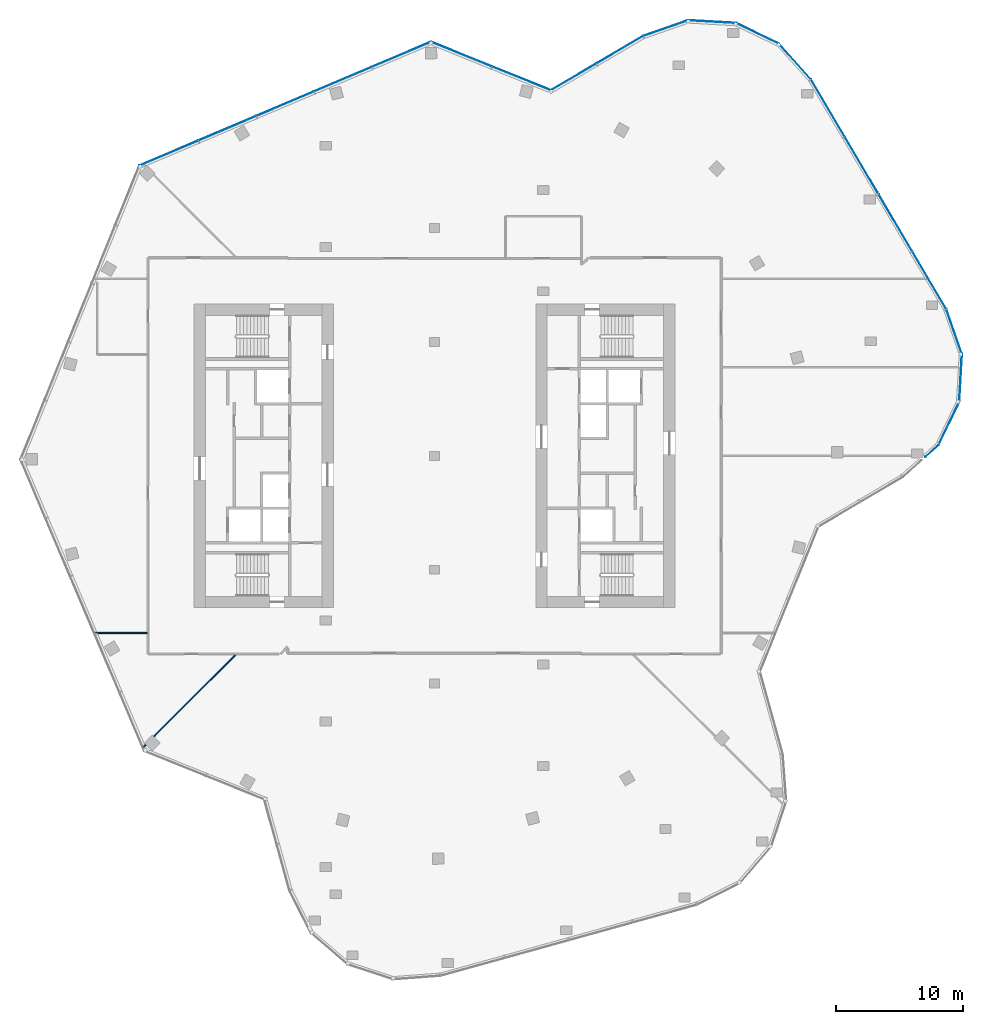
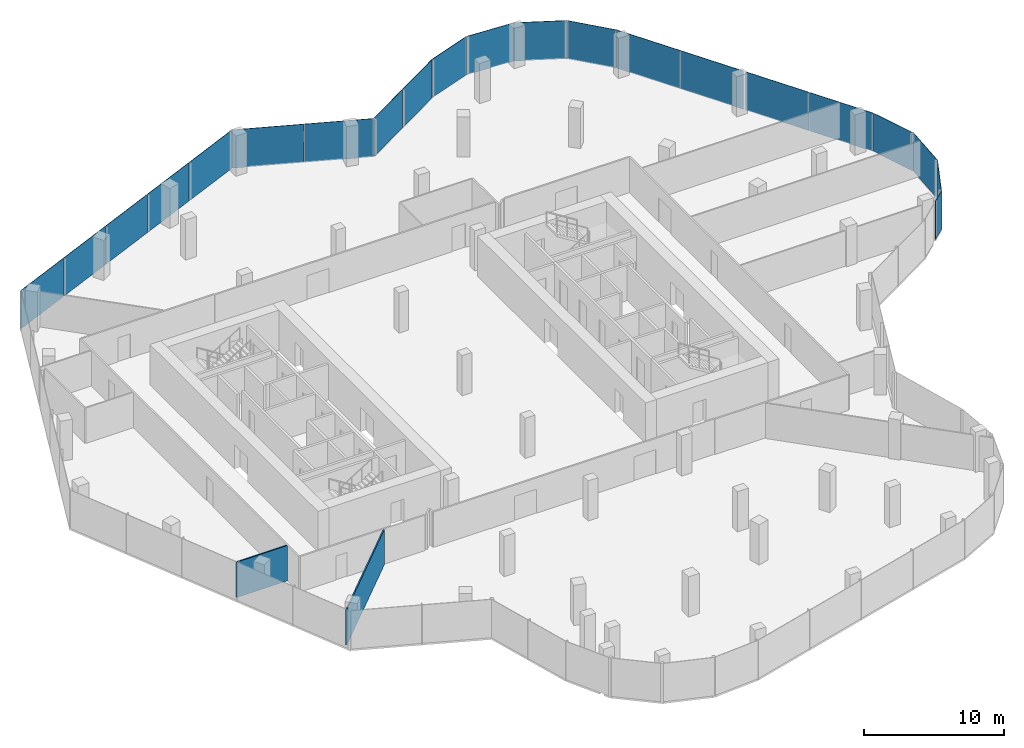
# One storey, part 11 of 15: 21 plates, 2 walls, 12 elements without a shape of their own.
"""IFC4 building model written with IfcOpenShell, lengths in metres."""

import ifcopenshell
import ifcopenshell.guid

model = None  # the IFC model being written
_history = None  # IfcOwnerHistory: only IFC2X3 demands one
_inside = {}  # id of a spatial element -> (the spatial element, [elements in it])
_under = {}  # id of a project, library or spatial element -> (it, [spatial elements below it])
_declared = {}  # id of a project -> (the project, [libraries it declares])
_typed = {}  # id of a type object -> (the type object, [elements of that type])
_made_of = {}  # id of a material, layer set ... -> (it, [elements and type objects made of it])


def new_model(schema):
    """Start an empty IFC model of exactly this schema.

    Asked for "IFC4X3", IfcOpenShell would pick the latest addendum, in which some entities
    have other attributes; the version numbers below select the first issue.
    IFC2X3 requires an IfcOwnerHistory on every rooted entity: one is made here for all.
    """
    global model, _history
    if schema == "IFC4X3":
        model = ifcopenshell.file(schema_version=(4, 3, 0, 0))
    else:
        model = ifcopenshell.file(schema=schema)
    _inside.clear()
    _under.clear()
    _declared.clear()
    _typed.clear()
    _made_of.clear()
    _history = None
    if model.schema == "IFC2X3":
        org = make("IfcOrganization", Name="unknown")
        user = make(
            "IfcPersonAndOrganization",
            ThePerson=make("IfcPerson", FamilyName="unknown"),
            TheOrganization=org,
        )
        app = make(
            "IfcApplication",
            ApplicationDeveloper=org,
            Version="unknown",
            ApplicationFullName="unknown",
            ApplicationIdentifier="unknown",
        )
        _history = make(
            "IfcOwnerHistory",
            OwningUser=user,
            OwningApplication=app,
            ChangeAction="ADDED",
            CreationDate=0,
        )
    return model


def make(cls, **values):
    """One entity of the class cls with the attributes given. An attribute that is None is left unset."""
    return model.create_entity(
        cls, **{name: value for name, value in values.items() if value is not None}
    )


def rooted(cls, **values):
    """An entity with a GlobalId (a new one), such as an element, a storey or a relation."""
    return make(cls, GlobalId=ifcopenshell.guid.new(), OwnerHistory=_history, **values)


def si_unit(unit_type, name, prefix=None):
    """IfcSIUnit, for example si_unit("LENGTHUNIT", "METRE", prefix="MILLI")."""
    return make("IfcSIUnit", UnitType=unit_type, Prefix=prefix, Name=name)


def assignment(units):
    """IfcUnitAssignment: the units of a project."""
    return None if units is None else make("IfcUnitAssignment", Units=units)


def point(xyz):
    """IfcCartesianPoint."""
    return None if xyz is None else make("IfcCartesianPoint", Coordinates=xyz)


def direction(xyz):
    """IfcDirection."""
    return None if xyz is None else make("IfcDirection", DirectionRatios=xyz)


def frame(location, z_axis=None, x_axis=None):
    """IfcAxis2Placement3D, a coordinate frame: its origin and axes. An axis left out is left unset."""
    return make(
        "IfcAxis2Placement3D",
        Location=point(location),
        Axis=direction(z_axis),
        RefDirection=direction(x_axis),
    )


def frame_2d(location, x_axis=None):
    """IfcAxis2Placement2D, a coordinate frame in the plane: its origin and x axis."""
    return make(
        "IfcAxis2Placement2D", Location=point(location), RefDirection=direction(x_axis)
    )


def origin():
    """The frame at (0, 0, 0) with its axes left unset."""
    return frame((0.0, 0.0, 0.0))


def origin_2d():
    """The frame at (0, 0) in the plane with its x axis left unset."""
    return frame_2d((0.0, 0.0))


def place(relative_to, where):
    """IfcLocalPlacement: puts the frame where relative to a parent placement (None: the world)."""
    return make(
        "IfcLocalPlacement", PlacementRelTo=relative_to, RelativePlacement=where
    )


def context(
    kind, dimensions, precision=None, world=None, true_north=None, identifier=None
):
    """IfcGeometricRepresentationContext, for example the 3D "Model" context."""
    return make(
        "IfcGeometricRepresentationContext",
        ContextIdentifier=identifier,
        ContextType=kind,
        CoordinateSpaceDimension=dimensions,
        Precision=precision,
        WorldCoordinateSystem=world,
        TrueNorth=true_north,
    )


def subcontext(parent, identifier, kind, view, scale=None):
    """IfcGeometricRepresentationSubContext, for example "Body" below "Model"."""
    return make(
        "IfcGeometricRepresentationSubContext",
        ContextIdentifier=identifier,
        ContextType=kind,
        ParentContext=parent,
        TargetScale=scale,
        TargetView=view,
    )


def project(units=None, contexts=None):
    """IfcProject with its units and contexts."""
    return rooted(
        "IfcProject",
        Name="project",
        RepresentationContexts=contexts,
        UnitsInContext=assignment(units),
    )


def spatial(cls, under=None, at=None, **own):
    """A site, building, storey or space (cls), placed at a placement, below another one or the project."""
    s = rooted(cls, ObjectPlacement=at, **own)
    if under is not None:
        _under.setdefault(under.id(), (under, []))[1].append(s)
    return s


def profile(cls, at=None, kind="AREA", **sizes):
    """A parametric profile (cls). Its sizes go by their IFC names, for example OverallWidth=200.0."""
    return make(cls, ProfileType=kind, Position=at, **sizes)


def rectangle(**sizes):
    """IfcRectangleProfileDef."""
    return profile("IfcRectangleProfileDef", **sizes)


def extrude(swept, where, along, depth):
    """IfcExtrudedAreaSolid: the profile swept, set in the frame where, extruded along a direction by depth."""
    return make(
        "IfcExtrudedAreaSolid",
        SweptArea=swept,
        Position=where,
        ExtrudedDirection=direction(along),
        Depth=depth,
    )


def shape(context_of_items, identifier, shape_type, items):
    """IfcShapeRepresentation: the items that make up one representation, for example the "Body"."""
    return make(
        "IfcShapeRepresentation",
        ContextOfItems=context_of_items,
        RepresentationIdentifier=identifier,
        RepresentationType=shape_type,
        Items=items,
    )


def material(Name=None, Category=None):
    """IfcMaterial."""
    return make("IfcMaterial", Name=Name, Category=Category)


def layer(
    of_material, thickness, ventilated=None, Name=None, Category=None, Priority=None
):
    """IfcMaterialLayer: one layer of a wall or slab, of a material (None: an air gap)."""
    return make(
        "IfcMaterialLayer",
        Material=of_material,
        LayerThickness=thickness,
        IsVentilated=ventilated,
        Name=Name,
        Category=Category,
        Priority=Priority,
    )


def layer_set(layers, Name=None):
    """IfcMaterialLayerSet."""
    return make("IfcMaterialLayerSet", MaterialLayers=layers, LayerSetName=Name)


def made_of(thing, what):
    """Note that an element or type object is made of a material, layer set ...; save() writes the relation."""
    if what is not None:
        _made_of.setdefault(what.id(), (what, []))[1].append(thing)
    return thing


def type_object(cls, material=None, **own):
    """A type object (cls), such as IfcWallType, which elements share."""
    return made_of(rooted(cls, **own), material)


def element(
    cls,
    number,
    at=None,
    inside=None,
    cuts=None,
    type_object=None,
    material=None,
    context=None,
    identifier="Body",
    shape_type=None,
    held_by="IfcProductDefinitionShape",
    body=None,
    shapes=None,
    **own,
):
    """One element of the class cls, such as IfcWall. Its Tag is "e" and its number.

    at: its placement. inside: the storey or other place that contains it. cuts: it is an
    opening in that element (IfcRelVoidsElement). A single representation is given by context,
    identifier, shape_type and body (its items); several are given by shapes. held_by: the class
    of the entity that holds the representations. save() writes the other relations.
    """
    e = rooted(cls, Tag="e%d" % number, ObjectPlacement=at, **own)
    if body is not None:
        shapes = [shape(context, identifier, shape_type, body)]
    if shapes is not None:
        e.Representation = make(held_by, Representations=shapes)
    if inside is not None:
        _inside.setdefault(inside.id(), (inside, []))[1].append(e)
    if cuts is not None:
        rooted(
            "IfcRelVoidsElement", RelatingBuildingElement=cuts, RelatedOpeningElement=e
        )
    if type_object is not None:
        _typed.setdefault(type_object.id(), (type_object, []))[1].append(e)
    return made_of(e, material)


def aggregate(whole, parts):
    """IfcRelAggregates: a whole, such as a stair, and the parts it consists of."""
    return rooted("IfcRelAggregates", RelatingObject=whole, RelatedObjects=parts)


def save(model, path):
    """Write the relations noted so far, then the file.

    IfcRelAggregates (storeys below a building ...), IfcRelContainedInSpatialStructure (elements
    in a storey), IfcRelDefinesByType, IfcRelAssociatesMaterial and IfcRelDeclares: one each for
    every whole, place, type object, material and project.
    """
    for whole, parts in _under.values():
        aggregate(whole, parts)
    for where, things in _inside.values():
        rooted(
            "IfcRelContainedInSpatialStructure",
            RelatedElements=things,
            RelatingStructure=where,
        )
    for kind, things in _typed.values():
        rooted("IfcRelDefinesByType", RelatedObjects=things, RelatingType=kind)
    for what, things in _made_of.values():
        rooted("IfcRelAssociatesMaterial", RelatedObjects=things, RelatingMaterial=what)
    for by, libraries in _declared.values():
        rooted("IfcRelDeclares", RelatingContext=by, RelatedDefinitions=libraries)
    model.write(path)


model = new_model("IFC4")

# Units and contexts
model_context = context("Model", 3, precision=1e-05, world=origin(), true_north=direction((0.0, 1.0)))
body_context = subcontext(model_context, "Body", "Model", "MODEL_VIEW")
ifc_project = project(units=[si_unit("LENGTHUNIT", "METRE"), si_unit("AREAUNIT", "SQUARE_METRE"), si_unit("VOLUMEUNIT", "CUBIC_METRE"), si_unit("PLANEANGLEUNIT", "RADIAN"), si_unit("MASSUNIT", "GRAM", prefix="KILO")], contexts=[model_context])

# Site, building, storey
site_placement = place(None, origin())
site = spatial("IfcSite", under=ifc_project, at=site_placement, CompositionType="ELEMENT")
building_placement = place(site_placement, origin())
building = spatial("IfcBuilding", under=site, at=building_placement, Name="Orlundy Tower", CompositionType="ELEMENT")
storey_placement = place(building_placement, frame((0.0, 0.0, 278.89990234375)))
storey = spatial("IfcBuildingStorey", under=building, at=storey_placement, Name="L74", CompositionType="ELEMENT", Elevation=278.89990234375)

# Curtain wall, plates
ifc_material_1 = material(Name="Aluminium bronze anodised", Category="aluminium")
curtain_wall_type = type_object("IfcCurtainWallType", Name="CW6 wall", PredefinedType="NOTDEFINED", material=ifc_material_1)
curtain_wall_1_placement = place(storey_placement, origin())
curtain_wall_1 = element("IfcCurtainWall", 1, at=curtain_wall_1_placement, inside=storey, type_object=curtain_wall_type, Name="CW6 run 016", PredefinedType="NOTDEFINED")
ifc_material_2 = material(Name="Tinted glass", Category="glass")
ifc_layer_1 = layer(ifc_material_2, 0.035888671875)
ifc_layer_set_1 = layer_set([ifc_layer_1], Name="CW6 glass panel 36")
plate_type = type_object("IfcPlateType", Name="CW6 glass panel 36", PredefinedType="CURTAIN_PANEL", material=ifc_layer_set_1)
plate_1_placement = place(storey_placement, frame((-21.013671875, 23.91259765625, -0.23974609375), z_axis=(0.0, 0.0, 1.0), x_axis=(0.920506804854, 0.390726531244, 0.0)))
plate_1 = element("IfcPlate", 2, at=plate_1_placement, type_object=plate_type, Name="CW6 panel", PredefinedType="CURTAIN_PANEL", context=body_context, shape_type="SweptSolid", body=[
    extrude(rectangle(XDim=5.03759765625, YDim=0.035888671875, at=origin_2d()), origin(), (0.0, 0.0, 1.0), 3.340087890625),
])
plate_2_placement = place(storey_placement, frame((-16.38427734375, 25.877685546875, -0.23974609375), z_axis=(0.0, 0.0, 1.0), x_axis=(0.920506804854, 0.390726531244, 0.0)))
plate_2 = element("IfcPlate", 3, at=plate_2_placement, type_object=plate_type, Name="CW6 panel", PredefinedType="CURTAIN_PANEL", context=body_context, shape_type="SweptSolid", body=[
    extrude(rectangle(XDim=4.920654296875, YDim=0.035888671875, at=origin_2d()), origin(), (0.0, 0.0, 1.0), 3.340087890625),
])
plate_3_placement = place(storey_placement, frame((-11.808837890625, 27.81982421875, -0.23974609375), z_axis=(0.0, 0.0, 1.0), x_axis=(0.920506804854, 0.390726531244, 0.0)))
plate_3 = element("IfcPlate", 4, at=plate_3_placement, type_object=plate_type, Name="CW6 panel", PredefinedType="CURTAIN_PANEL", context=body_context, shape_type="SweptSolid", body=[
    extrude(rectangle(XDim=4.920654296875, YDim=0.035888671875, at=origin_2d()), origin(), (0.0, 0.0, 1.0), 3.340087890625),
])
plate_4_placement = place(storey_placement, frame((-7.233154296875, 29.761962890625, -0.23974609375), z_axis=(0.0, 0.0, 1.0), x_axis=(0.920506804854, 0.390726531244, 0.0)))
plate_4 = element("IfcPlate", 5, at=plate_4_placement, type_object=plate_type, Name="CW6 panel", PredefinedType="CURTAIN_PANEL", context=body_context, shape_type="SweptSolid", body=[
    extrude(rectangle(XDim=4.920654296875, YDim=0.035888671875, at=origin_2d()), origin(), (0.0, 0.0, 1.0), 3.340087890625),
])
plate_5_placement = place(storey_placement, frame((-2.603759765625, 31.72705078125, -0.23974609375), z_axis=(0.0, 0.0, 1.0), x_axis=(0.920506804854, 0.390726531244, 0.0)))
plate_5 = element("IfcPlate", 6, at=plate_5_placement, type_object=plate_type, Name="CW6 panel", PredefinedType="CURTAIN_PANEL", context=body_context, shape_type="SweptSolid", body=[
    extrude(rectangle(XDim=5.03759765625, YDim=0.035888671875, at=origin_2d()), origin(), (0.0, 0.0, 1.0), 3.340087890625),
])
aggregate(curtain_wall_1, [plate_1, plate_2, plate_3, plate_4, plate_5])

curtain_wall_2_placement = place(storey_placement, origin())
curtain_wall_2 = element("IfcCurtainWall", 7, at=curtain_wall_2_placement, inside=storey, type_object=curtain_wall_type, Name="CW6 run 017", PredefinedType="NOTDEFINED")
plate_6_placement = place(storey_placement, frame((2.11865234375, 31.739990234375, -0.23974609375), z_axis=(0.0, 0.0, 1.0), x_axis=(0.927170719858, -0.374639101319, 0.0)))
plate_6 = element("IfcPlate", 8, at=plate_6_placement, type_object=plate_type, Name="CW6 panel", PredefinedType="CURTAIN_PANEL", context=body_context, shape_type="SweptSolid", body=[
    extrude(rectangle(XDim=5.185302734375, YDim=0.035888671875, at=origin_2d()), origin(), (0.0, 0.0, 1.0), 3.340087890625),
])
plate_7_placement = place(storey_placement, frame((6.879150390625, 29.81640625, -0.23974609375), z_axis=(0.0, 0.0, 1.0), x_axis=(0.927170719858, -0.374639101319, 0.0)))
plate_7 = element("IfcPlate", 9, at=plate_7_placement, type_object=plate_type, Name="CW6 panel", PredefinedType="CURTAIN_PANEL", context=body_context, shape_type="SweptSolid", body=[
    extrude(rectangle(XDim=4.98388671875, YDim=0.035888671875, at=origin_2d()), origin(), (0.0, 0.0, 1.0), 3.340087890625),
])
aggregate(curtain_wall_2, [plate_6, plate_7])

curtain_wall_3_placement = place(storey_placement, origin())
curtain_wall_3 = element("IfcCurtainWall", 10, at=curtain_wall_3_placement, inside=storey, type_object=curtain_wall_type, Name="CW6 run 018", PredefinedType="NOTDEFINED")
plate_8_placement = place(storey_placement, frame((10.9697265625, 29.93115234375, -0.23974609375), z_axis=(0.0, 0.0, 1.0), x_axis=(0.861662932394, 0.5074810252, 0.0)))
plate_8 = element("IfcPlate", 11, at=plate_8_placement, type_object=plate_type, Name="CW6 panel", PredefinedType="CURTAIN_PANEL", context=body_context, shape_type="SweptSolid", body=[
    extrude(rectangle(XDim=4.131591796875, YDim=0.035888671875, at=origin_2d()), origin(), (0.0, 0.0, 1.0), 3.340087890625),
])
plate_9_placement = place(storey_placement, frame((14.61865234375, 32.080322265625, -0.23974609375), z_axis=(0.0, 0.0, 1.0), x_axis=(0.861662932394, 0.5074810252, 0.0)))
plate_9 = element("IfcPlate", 12, at=plate_9_placement, type_object=plate_type, Name="CW6 panel", PredefinedType="CURTAIN_PANEL", context=body_context, shape_type="SweptSolid", body=[
    extrude(rectangle(XDim=4.23779296875, YDim=0.035888671875, at=origin_2d()), origin(), (0.0, 0.0, 1.0), 3.340087890625),
])
aggregate(curtain_wall_3, [plate_8, plate_9])

# Curtain wall, plate
curtain_wall_4_placement = place(storey_placement, origin())
curtain_wall_4 = element("IfcCurtainWall", 13, at=curtain_wall_4_placement, inside=storey, type_object=curtain_wall_type, Name="CW6 run 019", PredefinedType="NOTDEFINED")
plate_10_placement = place(storey_placement, frame((18.2587890625, 33.79443359375, -0.23974609375), z_axis=(0.0, 0.0, 1.0), x_axis=(0.944081083956, 0.32971337085, 0.0)))
plate_10 = element("IfcPlate", 14, at=plate_10_placement, type_object=plate_type, Name="CW6 panel", PredefinedType="CURTAIN_PANEL", context=body_context, shape_type="SweptSolid", body=[
    extrude(rectangle(XDim=3.7470703125, YDim=0.035888671875, at=origin_2d()), origin(), (0.0, 0.0, 1.0), 3.340087890625),
])
aggregate(curtain_wall_4, [plate_10])

curtain_wall_5_placement = place(storey_placement, origin())
curtain_wall_5 = element("IfcCurtainWall", 15, at=curtain_wall_5_placement, inside=storey, type_object=curtain_wall_type, Name="CW6 run 020", PredefinedType="NOTDEFINED")
plate_11_placement = place(storey_placement, frame((21.922119140625, 34.3046875, -0.23974609375), z_axis=(0.0, 0.0, 1.0), x_axis=(0.998394082315, -0.056650299193, 0.0)))
plate_11 = element("IfcPlate", 16, at=plate_11_placement, type_object=plate_type, Name="CW6 panel", PredefinedType="CURTAIN_PANEL", context=body_context, shape_type="SweptSolid", body=[
    extrude(rectangle(XDim=3.795166015625, YDim=0.035888671875, at=origin_2d()), origin(), (0.0, 0.0, 1.0), 3.340087890625),
])
aggregate(curtain_wall_5, [plate_11])

curtain_wall_6_placement = place(storey_placement, origin())
curtain_wall_6 = element("IfcCurtainWall", 17, at=curtain_wall_6_placement, inside=storey, type_object=curtain_wall_type, Name="CW6 run 021", PredefinedType="NOTDEFINED")
plate_12_placement = place(storey_placement, frame((25.52587890625, 33.373046875, -0.23974609375), z_axis=(0.0, 0.0, 1.0), x_axis=(0.900755489188, -0.434326546158, 0.0)))
plate_12 = element("IfcPlate", 18, at=plate_12_placement, type_object=plate_type, Name="CW6 panel", PredefinedType="CURTAIN_PANEL", context=body_context, shape_type="SweptSolid", body=[
    extrude(rectangle(XDim=3.795166015625, YDim=0.035888671875, at=origin_2d()), origin(), (0.0, 0.0, 1.0), 3.340087890625),
])
aggregate(curtain_wall_6, [plate_12])

curtain_wall_7_placement = place(storey_placement, origin())
curtain_wall_7 = element("IfcCurtainWall", 19, at=curtain_wall_7_placement, inside=storey, type_object=curtain_wall_type, Name="CW6 run 022", PredefinedType="NOTDEFINED")
plate_13_placement = place(storey_placement, frame((28.48291015625, 31.150390625, -0.23974609375), z_axis=(0.0, 0.0, 1.0), x_axis=(0.665769138425, -0.746157794518, 0.0)))
plate_13 = element("IfcPlate", 20, at=plate_13_placement, type_object=plate_type, Name="CW6 panel", PredefinedType="CURTAIN_PANEL", context=body_context, shape_type="SweptSolid", body=[
    extrude(rectangle(XDim=3.747802734375, YDim=0.035888671875, at=origin_2d()), origin(), (0.0, 0.0, 1.0), 3.340087890625),
])
aggregate(curtain_wall_7, [plate_13])

# Curtain wall, plates
curtain_wall_8_placement = place(storey_placement, origin())
curtain_wall_8 = element("IfcCurtainWall", 21, at=curtain_wall_8_placement, inside=storey, type_object=curtain_wall_type, Name="CW6 run 023", PredefinedType="NOTDEFINED")
plate_14_placement = place(storey_placement, frame((31.0849609375, 27.46240234375, -0.23974609375), z_axis=(0.0, 0.0, 1.0), x_axis=(0.507531980737, -0.861632919827, 0.0)))
plate_14 = element("IfcPlate", 22, at=plate_14_placement, type_object=plate_type, Name="CW6 panel", PredefinedType="CURTAIN_PANEL", context=body_context, shape_type="SweptSolid", body=[
    extrude(rectangle(XDim=5.2216796875, YDim=0.035888671875, at=origin_2d()), origin(), (0.0, 0.0, 1.0), 3.340087890625),
])
plate_15_placement = place(storey_placement, frame((33.72216796875, 22.9853515625, -0.23974609375), z_axis=(0.0, 0.0, 1.0), x_axis=(0.507531980737, -0.861632919827, 0.0)))
plate_15 = element("IfcPlate", 23, at=plate_15_placement, type_object=plate_type, Name="CW6 panel", PredefinedType="CURTAIN_PANEL", context=body_context, shape_type="SweptSolid", body=[
    extrude(rectangle(XDim=5.070068359375, YDim=0.035888671875, at=origin_2d()), origin(), (0.0, 0.0, 1.0), 3.340087890625),
])
plate_16_placement = place(storey_placement, frame((36.41943359375, 18.406005859375, -0.23974609375), z_axis=(0.0, 0.0, 1.0), x_axis=(0.507531980737, -0.861632919827, 0.0)))
plate_16 = element("IfcPlate", 24, at=plate_16_placement, type_object=plate_type, Name="CW6 panel", PredefinedType="CURTAIN_PANEL", context=body_context, shape_type="SweptSolid", body=[
    extrude(rectangle(XDim=5.199951171875, YDim=0.035888671875, at=origin_2d()), origin(), (0.0, 0.0, 1.0), 3.340087890625),
])
plate_17_placement = place(storey_placement, frame((39.089599609375, 13.873046875, -0.23974609375), z_axis=(0.0, 0.0, 1.0), x_axis=(0.507531980737, -0.861632919827, 0.0)))
plate_17 = element("IfcPlate", 25, at=plate_17_placement, type_object=plate_type, Name="CW6 panel", PredefinedType="CURTAIN_PANEL", context=body_context, shape_type="SweptSolid", body=[
    extrude(rectangle(XDim=5.2216796875, YDim=0.035888671875, at=origin_2d()), origin(), (0.0, 0.0, 1.0), 3.340087890625),
])
aggregate(curtain_wall_8, [plate_14, plate_15, plate_16, plate_17])

# Curtain wall, plate
curtain_wall_9_placement = place(storey_placement, origin())
curtain_wall_9 = element("IfcCurtainWall", 26, at=curtain_wall_9_placement, inside=storey, type_object=curtain_wall_type, Name="CW6 run 024", PredefinedType="NOTDEFINED")
plate_18_placement = place(storey_placement, frame((41.053466796875, 9.809326171875, -0.23974609375), z_axis=(0.0, 0.0, 1.0), x_axis=(0.32971337085, -0.944081083956, 0.0)))
plate_18 = element("IfcPlate", 27, at=plate_18_placement, type_object=plate_type, Name="CW6 panel", PredefinedType="CURTAIN_PANEL", context=body_context, shape_type="SweptSolid", body=[
    extrude(rectangle(XDim=3.7470703125, YDim=0.035888671875, at=origin_2d()), origin(), (0.0, 0.0, 1.0), 3.340087890625),
])
aggregate(curtain_wall_9, [plate_18])

curtain_wall_10_placement = place(storey_placement, origin())
curtain_wall_10 = element("IfcCurtainWall", 28, at=curtain_wall_10_placement, inside=storey, type_object=curtain_wall_type, Name="CW6 run 025", PredefinedType="NOTDEFINED")
plate_19_placement = place(storey_placement, frame((41.563720703125, 6.14599609375, -0.23974609375), z_axis=(0.0, 0.0, 1.0), x_axis=(-0.056650299193, -0.998394082315, 0.0)))
plate_19 = element("IfcPlate", 29, at=plate_19_placement, type_object=plate_type, Name="CW6 panel", PredefinedType="CURTAIN_PANEL", context=body_context, shape_type="SweptSolid", body=[
    extrude(rectangle(XDim=3.795166015625, YDim=0.035888671875, at=origin_2d()), origin(), (0.0, 0.0, 1.0), 3.340087890625),
])
aggregate(curtain_wall_10, [plate_19])

curtain_wall_11_placement = place(storey_placement, origin())
curtain_wall_11 = element("IfcCurtainWall", 30, at=curtain_wall_11_placement, inside=storey, type_object=curtain_wall_type, Name="CW6 run 026", PredefinedType="NOTDEFINED")
plate_20_placement = place(storey_placement, frame((40.632080078125, 2.5419921875, -0.23974609375), z_axis=(0.0, 0.0, 1.0), x_axis=(-0.434326546158, -0.900755489188, 0.0)))
plate_20 = element("IfcPlate", 31, at=plate_20_placement, type_object=plate_type, Name="CW6 panel", PredefinedType="CURTAIN_PANEL", context=body_context, shape_type="SweptSolid", body=[
    extrude(rectangle(XDim=3.795166015625, YDim=0.035888671875, at=origin_2d()), origin(), (0.0, 0.0, 1.0), 3.340087890625),
])
aggregate(curtain_wall_11, [plate_20])

curtain_wall_12_placement = place(storey_placement, origin())
curtain_wall_12 = element("IfcCurtainWall", 32, at=curtain_wall_12_placement, inside=storey, type_object=curtain_wall_type, Name="CW6 run 027", PredefinedType="NOTDEFINED")
plate_21_placement = place(storey_placement, frame((39.29296875, 0.373291015625, -0.23974609375), z_axis=(0.0, 0.0, 1.0), x_axis=(-0.746157794518, -0.665769138425, 0.0)))
plate_21 = element("IfcPlate", 33, at=plate_21_placement, type_object=plate_type, Name="CW6 panel", PredefinedType="CURTAIN_PANEL", context=body_context, shape_type="SweptSolid", body=[
    extrude(rectangle(XDim=1.380126953125, YDim=0.035888671875, at=origin_2d()), origin(), (0.0, 0.0, 1.0), 3.340087890625),
])
aggregate(curtain_wall_12, [plate_21])

# Walls
ifc_material_3 = material(Name="Gypsum board partition")
ifc_layer_2 = layer(ifc_material_3, 0.10009765625)
ifc_layer_set_2 = layer_set([ifc_layer_2], Name="Floor partition 100")
wall_type = type_object("IfcWallType", Name="Floor partition 100", PredefinedType="PARTITIONING", material=ifc_layer_set_2)
wall_1_placement = place(storey_placement, frame((-26.919921875, -14.0, 0.0), z_axis=(0.0, 0.0, 1.0), x_axis=(1.0, 0.0, 0.0)))
element("IfcWall", 34, at=wall_1_placement, inside=storey, type_object=wall_type, Name="wall-int-L74-007", PredefinedType="PARTITIONING", context=body_context, shape_type="SweptSolid", body=[
    extrude(rectangle(XDim=4.2080078125, YDim=0.10009765625, at=frame_2d((2.10400390625, 0.0))), origin(), (0.0, 0.0, 1.0), 3.080078125),
])
wall_2_placement = place(storey_placement, frame((-23.070068359375, -23.070068359375, 0.0), z_axis=(0.0, 0.0, 1.0), x_axis=(0.707106781187, 0.707106781187, 0.0)))
element("IfcWall", 35, at=wall_2_placement, inside=storey, type_object=wall_type, Name="wall-int-L74-019", PredefinedType="PARTITIONING", context=body_context, shape_type="SweptSolid", body=[
    extrude(rectangle(XDim=10.353515625, YDim=0.10009765625, at=frame_2d((5.1767578125, 0.0))), origin(), (0.0, 0.0, 1.0), 3.080078125),
])

save(model, "model.ifc")
